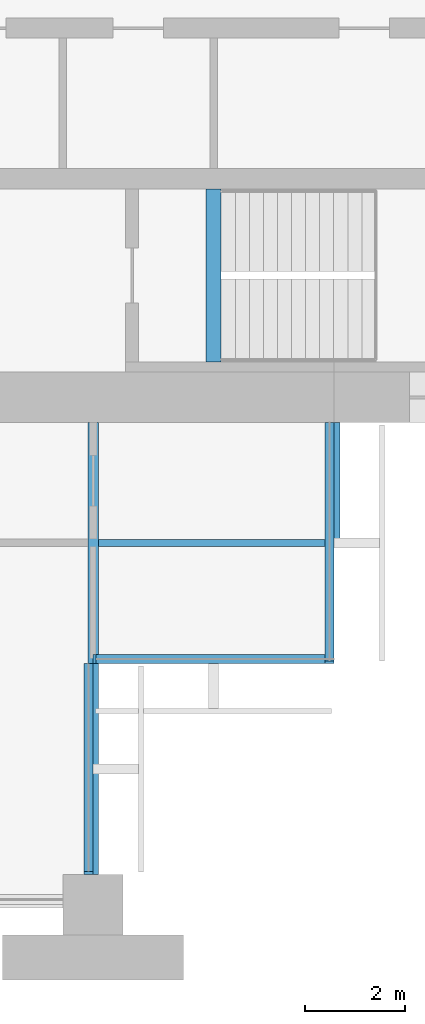
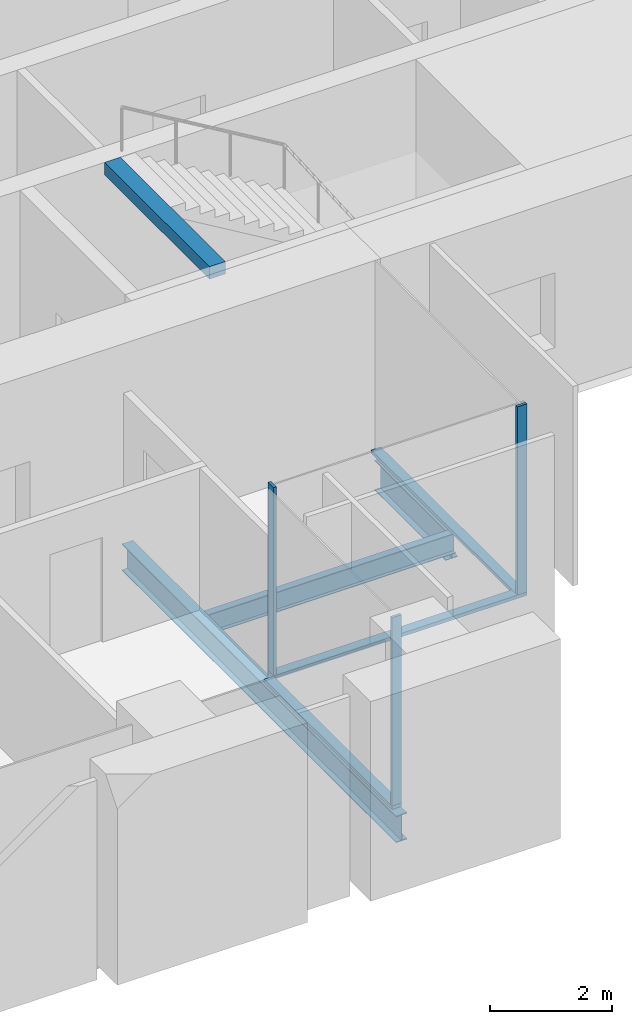
# One storey, part 4 of 14: 6 members, 4 beams, 3 elements without a shape of their own.
"""IFC4 building model written with IfcOpenShell, lengths in metres."""

from ifc_helpers import new_model, si_unit, direction, frame, origin, origin_2d, place, context, subcontext, project, spatial, rectangle, i_section, extrude, material, material_profile, profile_set, type_object, element, aggregate, save


model = new_model("IFC4")

# Units and contexts
model_context = context("Model", 3, precision=1e-05, world=origin(), true_north=direction((0.0, 1.0)))
body_context = subcontext(model_context, "Body", "Model", "MODEL_VIEW")
ifc_project = project(units=[si_unit("LENGTHUNIT", "METRE"), si_unit("AREAUNIT", "SQUARE_METRE"), si_unit("VOLUMEUNIT", "CUBIC_METRE"), si_unit("PLANEANGLEUNIT", "RADIAN"), si_unit("MASSUNIT", "GRAM", prefix="KILO")], contexts=[model_context])

# Site, building, storey
site_placement = place(None, origin())
site = spatial("IfcSite", under=ifc_project, at=site_placement, CompositionType="ELEMENT")
building_placement = place(site_placement, origin())
building = spatial("IfcBuilding", under=site, at=building_placement, Name="Baori Bourse Tower", CompositionType="ELEMENT")
storey_placement = place(building_placement, frame((0.0, 0.0, 148.10009765625)))
storey = spatial("IfcBuildingStorey", under=building, at=storey_placement, Name="L32", CompositionType="ELEMENT", Elevation=148.10009765625)

# Curtain wall, member
ifc_material_1 = material(Name="Pale anodised aluminium", Category="aluminium")
curtain_wall_type = type_object("IfcCurtainWallType", Name="CW2 Curtain wall", PredefinedType="NOTDEFINED", material=ifc_material_1)
curtain_wall_1_placement = place(storey_placement, origin())
curtain_wall_1 = element("IfcCurtainWall", 1, at=curtain_wall_1_placement, inside=storey, type_object=curtain_wall_type, Name="Curtain wall CW2 L32 13", PredefinedType="NOTDEFINED")
ifc_material_2 = material(Name="Pale anodised aluminium", Category="aluminium")
ifc_material_profile_1 = material_profile(ifc_material_2, rectangle(XDim=0.179931640625, YDim=0.054931640625, at=origin_2d()), Name="Mullion 55x180")
ifc_profile_set_1 = profile_set([ifc_material_profile_1], Name="Pale anodised aluminium")
member_type_1 = type_object("IfcMemberType", Name="CW2 Curtain wall mullion", PredefinedType="MULLION", material=ifc_profile_set_1)
member_1_placement = place(storey_placement, frame((43.110107421875, 0.62744140625, 0.06982421875), z_axis=(0.0, 0.0, 1.0), x_axis=(-1.0, 0.0, 0.0)))
member_1 = element("IfcMember", 2, at=member_1_placement, type_object=member_type_1, Name="Curtain wall CW2 mullion", PredefinedType="MULLION", context=body_context, shape_type="SweptSolid", body=[
    extrude(rectangle(XDim=0.179931640625, YDim=0.054931640625, at=origin_2d()), origin(), (0.0, 0.0, 1.0), 3.77001953125),
])

curtain_wall_2_placement = place(storey_placement, origin())
curtain_wall_2 = element("IfcCurtainWall", 3, at=curtain_wall_2_placement, inside=storey, type_object=curtain_wall_type, Name="Curtain wall CW2 L32 14", PredefinedType="NOTDEFINED")
member_2_placement = place(storey_placement, frame((43.2275390625, 4.889892578125, 0.06982421875), z_axis=(0.0, 0.0, 1.0), x_axis=(0.0, 1.0, 0.0)))
member_2 = element("IfcMember", 4, at=member_2_placement, type_object=member_type_1, Name="Curtain wall CW2 mullion", PredefinedType="MULLION", context=body_context, shape_type="SweptSolid", body=[
    extrude(rectangle(XDim=0.179931640625, YDim=0.054931640625, at=origin_2d()), origin(), (0.0, 0.0, 1.0), 3.77001953125),
])

curtain_wall_3_placement = place(storey_placement, origin())
curtain_wall_3 = element("IfcCurtainWall", 5, at=curtain_wall_3_placement, inside=storey, type_object=curtain_wall_type, Name="Curtain wall CW2 L32 15", PredefinedType="NOTDEFINED")
member_3_placement = place(storey_placement, frame((47.909912109375, 4.827392578125, 0.06982421875), z_axis=(0.0, 0.0, 1.0), x_axis=(-1.0, 0.0, 0.0)))
member_3 = element("IfcMember", 6, at=member_3_placement, type_object=member_type_1, Name="Curtain wall CW2 mullion", PredefinedType="MULLION", context=body_context, shape_type="SweptSolid", body=[
    extrude(rectangle(XDim=0.179931640625, YDim=0.054931640625, at=origin_2d()), origin(), (0.0, 0.0, 1.0), 3.77001953125),
])

# Member
ifc_material_3 = material(Name="Pale anodised aluminium", Category="aluminium")
ifc_material_profile_2 = material_profile(ifc_material_3, rectangle(XDim=0.179931640625, YDim=0.070068359375, at=origin_2d()), Name="Transom 70x180")
ifc_profile_set_2 = profile_set([ifc_material_profile_2], Name="Pale anodised aluminium")
member_type_2 = type_object("IfcMemberType", Name="CW2 Curtain wall transom", PredefinedType="USERDEFINED", material=ifc_profile_set_2)
member_4_placement = place(storey_placement, frame((43.110107421875, 0.60009765625, 0.034912109375), z_axis=(0.0, 1.0, 0.0), x_axis=(-1.0, 0.0, 0.0)))
member_4 = element("IfcMember", 7, at=member_4_placement, type_object=member_type_2, Name="Curtain wall CW2 sill rail", ObjectType="TRANSOM", PredefinedType="USERDEFINED", context=body_context, shape_type="SweptSolid", body=[
    extrude(rectangle(XDim=0.179931640625, YDim=0.070068359375, at=origin_2d()), origin(), (0.0, 0.0, 1.0), 4.199951171875),
])

aggregate(curtain_wall_1, [member_4, member_1])

member_5_placement = place(storey_placement, frame((43.199951171875, 4.889892578125, 0.034912109375), z_axis=(1.0, 0.0, 0.0), x_axis=(0.0, 1.0, 0.0)))
member_5 = element("IfcMember", 8, at=member_5_placement, type_object=member_type_2, Name="Curtain wall CW2 sill rail", ObjectType="TRANSOM", PredefinedType="USERDEFINED", context=body_context, shape_type="SweptSolid", body=[
    extrude(rectangle(XDim=0.179931640625, YDim=0.070068359375, at=origin_2d()), origin(), (0.0, 0.0, 1.0), 4.800048828125),
])

aggregate(curtain_wall_2, [member_5, member_2])

member_6_placement = place(storey_placement, frame((47.909912109375, 4.800048828125, 0.034912109375), z_axis=(0.0, 1.0, 0.0), x_axis=(-1.0, 0.0, 0.0)))
member_6 = element("IfcMember", 9, at=member_6_placement, type_object=member_type_2, Name="Curtain wall CW2 sill rail", ObjectType="TRANSOM", PredefinedType="USERDEFINED", context=body_context, shape_type="SweptSolid", body=[
    extrude(rectangle(XDim=0.179931640625, YDim=0.070068359375, at=origin_2d()), origin(), (0.0, 0.0, 1.0), 4.800048828125),
])

aggregate(curtain_wall_3, [member_6, member_3])

# Beams
ifc_material_4 = material(Name="Steel A992 Gr 50", Category="steel")
ifc_material_profile_3 = material_profile(ifc_material_4, i_section(OverallWidth=0.227783203125, OverallDepth=0.60205078125, WebThickness=0.010498046875, FlangeThickness=0.014892578125, at=origin_2d()), Name="W24x68")
ifc_profile_set_3 = profile_set([ifc_material_profile_3], Name="Steel A992 Gr 50")
beam_type_1 = type_object("IfcBeamType", Name="Core bracket W24x68", PredefinedType="BEAM", material=ifc_profile_set_3)
beam_1_placement = place(storey_placement, frame((48.0, 7.270263671875, -0.461181640625), z_axis=(0.0, 1.0, 0.0), x_axis=(-1.0, 0.0, 0.0)))
element("IfcBeam", 10, at=beam_1_placement, inside=storey, type_object=beam_type_1, Name="Core bracket L32", PredefinedType="BEAM", context=body_context, shape_type="SweptSolid", body=[
    extrude(i_section(OverallWidth=0.227783203125, OverallDepth=0.60205078125, WebThickness=0.010498046875, FlangeThickness=0.014892578125, at=origin_2d()), origin(), (0.0, 0.0, 1.0), 2.329833984375),
])
ifc_material_5 = material(Name="Steel A992 Gr 50", Category="steel")
ifc_material_profile_4 = material_profile(ifc_material_5, i_section(OverallWidth=0.209228515625, OverallDepth=0.533447265625, WebThickness=0.01025390625, FlangeThickness=0.015625, at=origin_2d()), Name="W21x62")
ifc_profile_set_4 = profile_set([ifc_material_profile_4], Name="Steel A992 Gr 50")
beam_type_2 = type_object("IfcBeamType", Name="Floor beam W21x62", PredefinedType="BEAM", material=ifc_profile_set_4)
beam_2_placement = place(storey_placement, frame((43.199951171875, 0.60009765625, -0.4267578125), z_axis=(0.0, 1.0, 0.0), x_axis=(-1.0, 0.0, 0.0)))
element("IfcBeam", 11, at=beam_2_placement, inside=storey, type_object=beam_type_2, Name="Floor beam L32", PredefinedType="BEAM", context=body_context, shape_type="SweptSolid", body=[
    extrude(i_section(OverallWidth=0.209228515625, OverallDepth=0.533447265625, WebThickness=0.01025390625, FlangeThickness=0.015625, at=origin_2d()), origin(), (0.0, 0.0, 1.0), 9.0),
])
ifc_material_6 = material(Name="Concrete f'c 50 MPa", Category="concrete")
ifc_material_profile_5 = material_profile(ifc_material_6, rectangle(XDim=0.300048828125, YDim=0.25, at=origin_2d()), Name="RC 300x250")
ifc_profile_set_5 = profile_set([ifc_material_profile_5], Name="Concrete f'c 50 MPa")
beam_type_3 = type_object("IfcBeamType", Name="Stair nib beam RC 300x250", PredefinedType="BEAM", material=ifc_profile_set_5)
beam_3_placement = place(storey_placement, frame((45.60009765625, 10.800048828125, 3.71484375), z_axis=(0.0, 1.0, 0.0), x_axis=(-1.0, 0.0, 0.0)))
element("IfcBeam", 12, at=beam_3_placement, inside=storey, type_object=beam_type_3, Name="Stair EA nib beam L33", PredefinedType="BEAM", context=body_context, shape_type="SweptSolid", body=[
    extrude(rectangle(XDim=0.300048828125, YDim=0.25, at=origin_2d()), origin(), (0.0, 0.0, 1.0), 3.449951171875),
])
ifc_material_7 = material(Name="Steel A992 Gr 50", Category="steel")
ifc_material_profile_6 = material_profile(ifc_material_7, i_section(OverallWidth=0.140380859375, OverallDepth=0.40380859375, WebThickness=0.007080078125, FlangeThickness=0.01123046875, at=origin_2d()), Name="W16x31")
ifc_profile_set_6 = profile_set([ifc_material_profile_6], Name="Steel A992 Gr 50")
beam_type_4 = type_object("IfcBeamType", Name="Trimmer beam W16x31", PredefinedType="BEAM", material=ifc_profile_set_6)
beam_4_placement = place(storey_placement, frame((43.3046875, 7.199951171875, -0.362060546875), z_axis=(1.0, 0.0, 0.0), x_axis=(0.0, 1.0, 0.0)))
element("IfcBeam", 13, at=beam_4_placement, inside=storey, type_object=beam_type_4, Name="Trimmer beam L32", PredefinedType="BEAM", context=body_context, shape_type="SweptSolid", body=[
    extrude(i_section(OverallWidth=0.140380859375, OverallDepth=0.40380859375, WebThickness=0.007080078125, FlangeThickness=0.01123046875, at=origin_2d()), origin(), (0.0, 0.0, 1.0), 4.6953125),
])

save(model, "model.ifc")
